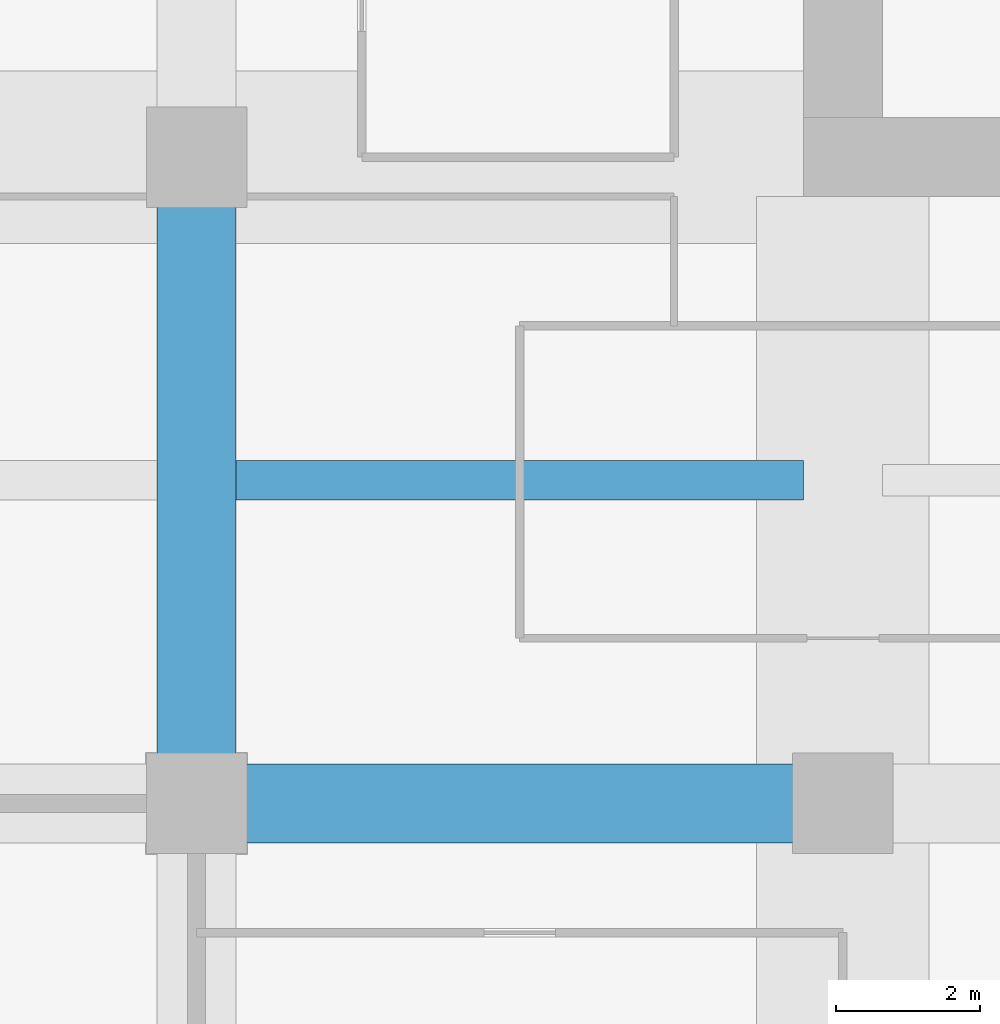
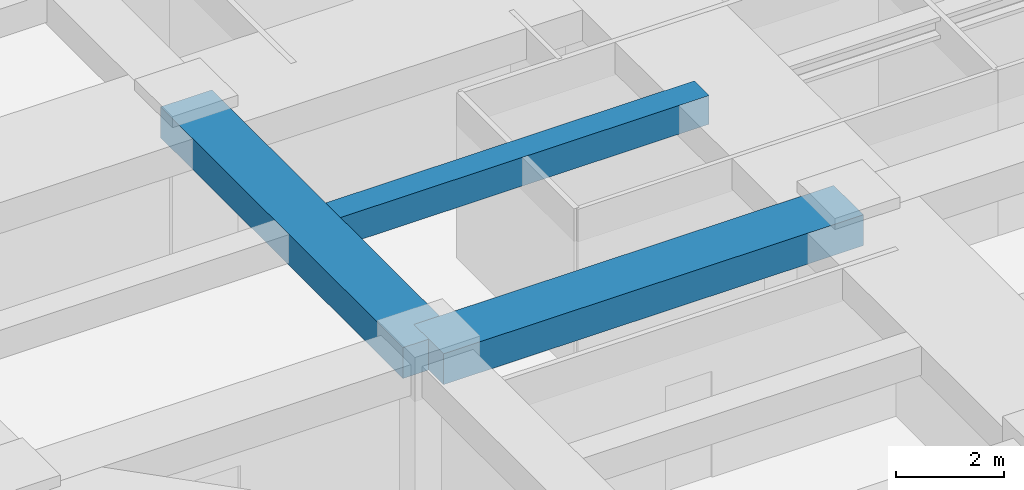
# One storey, part 5 of 34: 3 beams.
"""IFC4 building model written with IfcOpenShell, lengths in metres."""

from ifc_helpers import new_model, si_unit, direction, frame, origin, origin_2d, place, context, subcontext, project, spatial, rectangle, extrude, material, material_profile, profile_set, type_object, element, save


model = new_model("IFC4")

# Units and contexts
model_context = context("Model", 3, precision=1e-05, world=origin(), true_north=direction((0.0, 1.0)))
body_context = subcontext(model_context, "Body", "Model", "MODEL_VIEW")
ifc_project = project(units=[si_unit("LENGTHUNIT", "METRE"), si_unit("AREAUNIT", "SQUARE_METRE"), si_unit("VOLUMEUNIT", "CUBIC_METRE"), si_unit("PLANEANGLEUNIT", "RADIAN"), si_unit("MASSUNIT", "GRAM", prefix="KILO")], contexts=[model_context])

# Site, building, storey
site_placement = place(None, origin())
site = spatial("IfcSite", under=ifc_project, at=site_placement, CompositionType="ELEMENT")
building_placement = place(site_placement, origin())
building = spatial("IfcBuilding", under=site, at=building_placement, Name="Zorevar Civic Tower", CompositionType="ELEMENT")
storey_placement = place(building_placement, frame((0.0, 0.0, 226.199951171875)))
storey = spatial("IfcBuildingStorey", under=building, at=storey_placement, Name="L55", CompositionType="ELEMENT", Elevation=226.199951171875)

# Beams
ifc_material_1 = material(Name="Concrete C50/60", Category="concrete")
ifc_material_profile_1 = material_profile(ifc_material_1, rectangle(XDim=1.10009765625, YDim=0.699951171875, at=origin_2d()), Name="RC 1100x700")
ifc_profile_set_1 = profile_set([ifc_material_profile_1], Name="Concrete C50/60")
beam_type_1 = type_object("IfcBeamType", Name="Beam RC 1100x700", PredefinedType="BEAM", material=ifc_profile_set_1)
for number, where, z_axis, x_axis, name in (
    (1, (9.0, 9.0, 3.400146484375), (1.0, 0.0, 0.0), (0.0, 1.0, 0.0), "Girder L56"),
    (2, (9.0, 9.0, 3.400146484375), (0.0, 1.0, 0.0), (-1.0, 0.0, 0.0), "Girder L56"),
):
    element("IfcBeam", number, at=place(storey_placement, frame(where, z_axis=z_axis, x_axis=x_axis)), inside=storey, type_object=beam_type_1, Name=name, PredefinedType="BEAM", context=body_context, shape_type="SweptSolid", body=[
        extrude(rectangle(XDim=1.10009765625, YDim=0.699951171875, at=origin_2d()), origin(), (0.0, 0.0, 1.0), 9.0),
    ])
ifc_material_2 = material(Name="Concrete C50/60", Category="concrete")
ifc_material_profile_2 = material_profile(ifc_material_2, rectangle(XDim=0.550048828125, YDim=0.64990234375, at=origin_2d()), Name="RC 550x650")
ifc_profile_set_2 = profile_set([ifc_material_profile_2], Name="Concrete C50/60")
beam_type_2 = type_object("IfcBeamType", Name="Beam RC 550x650", PredefinedType="BEAM", material=ifc_profile_set_2)
beam_placement = place(storey_placement, frame((9.550048828125, 13.5, 3.425048828125), z_axis=(1.0, 0.0, 0.0), x_axis=(0.0, 1.0, 0.0)))
element("IfcBeam", 3, at=beam_placement, inside=storey, type_object=beam_type_2, Name="Secondary beam L56", PredefinedType="BEAM", context=body_context, shape_type="SweptSolid", body=[
    extrude(rectangle(XDim=0.550048828125, YDim=0.64990234375, at=origin_2d()), origin(), (0.0, 0.0, 1.0), 7.89990234375),
])

save(model, "model.ifc")
